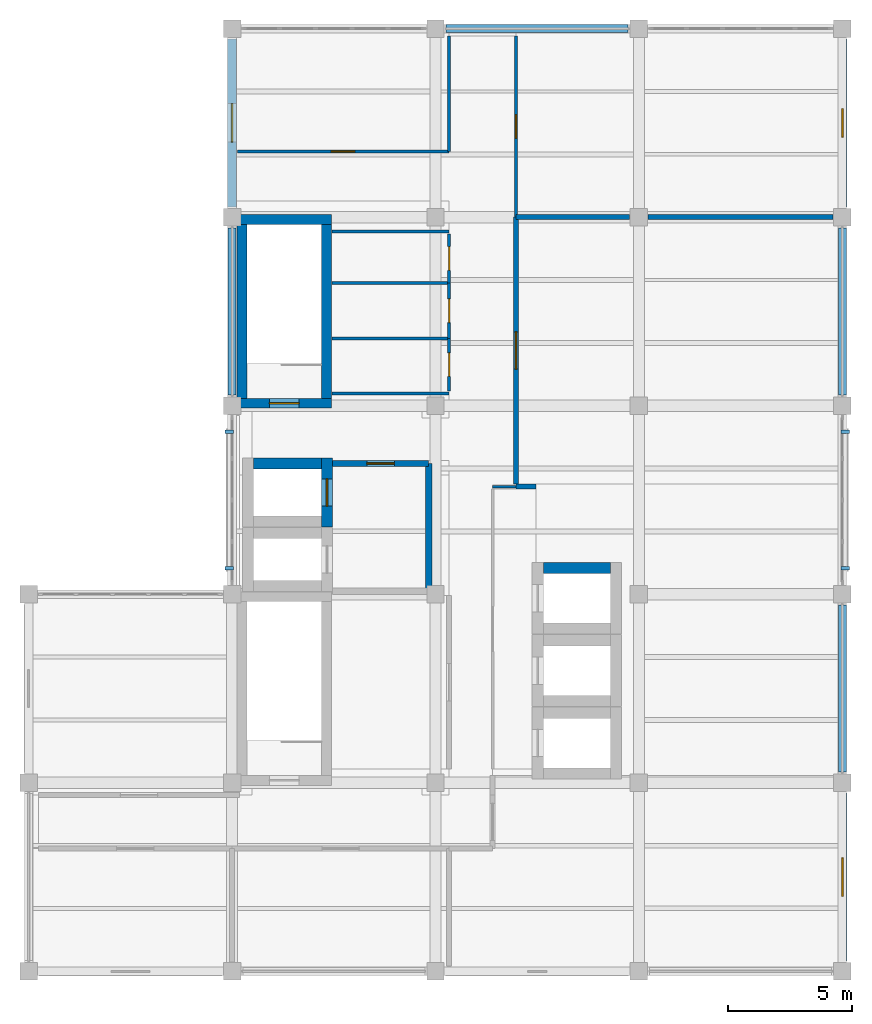
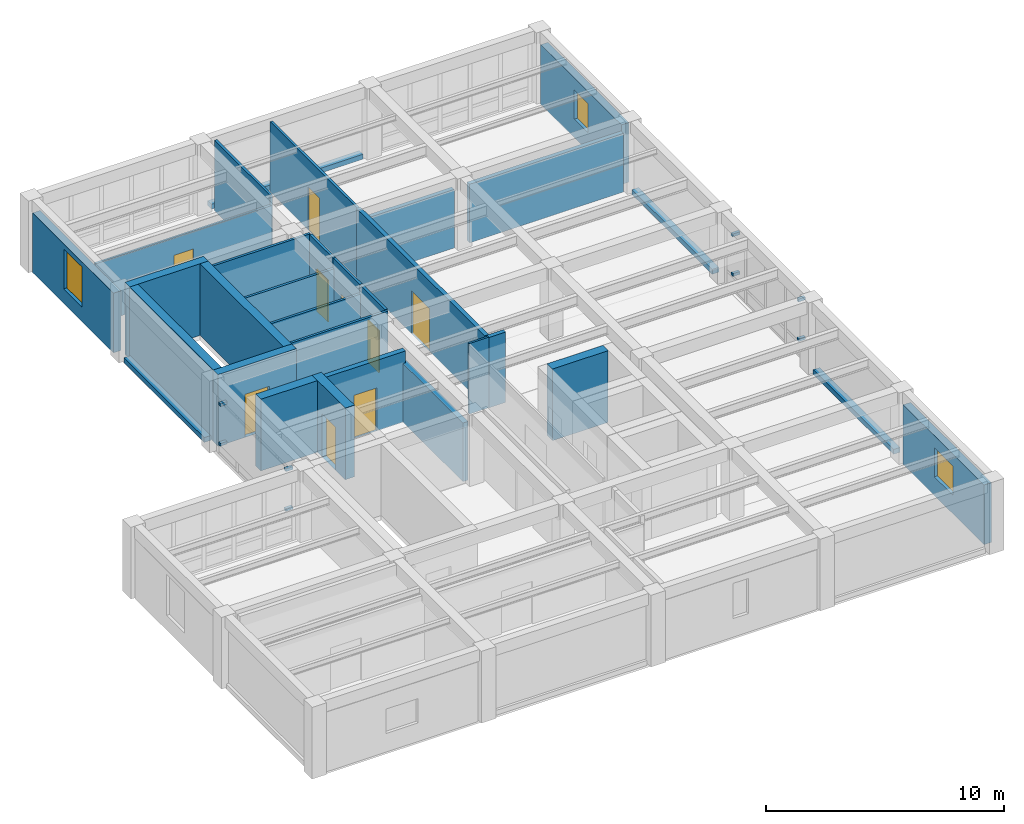
# One storey, part 7 of 8: 31 walls, 9 doors, 8 discrete accessories, 3 windows, 12 openings.
"""IFC4 building model written with IfcOpenShell, lengths in metres."""

from ifc_helpers import new_model, si_unit, direction, frame, frame_2d, origin, origin_2d, place, context, subcontext, project, spatial, rectangle, extrude, material, layer, layer_set, type_object, element, fill, save


model = new_model("IFC4")

# Units and contexts
model_context = context("Model", 3, precision=1e-05, world=origin(), true_north=direction((0.0, 1.0)))
body_context = subcontext(model_context, "Body", "Model", "MODEL_VIEW")
ifc_project = project(units=[si_unit("LENGTHUNIT", "METRE"), si_unit("AREAUNIT", "SQUARE_METRE"), si_unit("VOLUMEUNIT", "CUBIC_METRE"), si_unit("PLANEANGLEUNIT", "RADIAN"), si_unit("MASSUNIT", "GRAM", prefix="KILO")], contexts=[model_context])

# Site, building, storey
site_placement = place(None, origin())
site = spatial("IfcSite", under=ifc_project, at=site_placement, CompositionType="ELEMENT")
building_placement = place(site_placement, origin())
building = spatial("IfcBuilding", under=site, at=building_placement, Name="Qandaris Square Conservatory and Botanical Centre", CompositionType="ELEMENT")
storey_placement = place(building_placement, frame((0.0, 0.0, 70.199951171875)))
storey = spatial("IfcBuildingStorey", under=building, at=storey_placement, Name="L16", CompositionType="ELEMENT", Elevation=70.199951171875)

# Wall, opening, window
ifc_material_1 = material(Name="Precast concrete C40/50", Category="concrete")
ifc_layer_1 = layer(ifc_material_1, 0.360107421875)
ifc_layer_set_1 = layer_set([ifc_layer_1], Name="Precast concrete C40/50")
wall_type_1 = type_object("IfcWallType", Name="Architectural Precast Cladding Wall 360mm", PredefinedType="SOLIDWALL", material=ifc_layer_set_1)
wall_1_placement = place(storey_placement, frame((163.800048828125, 17.010009765625, 0.0), z_axis=(0.0, 0.0, 1.0), x_axis=(0.0, 1.0, 0.0)))
wall_1 = element("IfcWall", 1, at=wall_1_placement, inside=storey, type_object=wall_type_1, Name="Exterior Wall EW-TWR-L16-2-1", PredefinedType="SOLIDWALL", context=body_context, shape_type="SweptSolid", body=[
    extrude(rectangle(XDim=6.780029296875, YDim=0.360107421875, at=frame_2d((3.39013671875, 0.0))), origin(), (0.0, 0.0, 1.0), 3.054931640625),
])
opening_1_placement = place(wall_1_placement, frame((2.614990234375, 0.0, 0.949951171875)))
opening_1 = element("IfcOpeningElement", 2, at=opening_1_placement, cuts=wall_1, Name="Opening WN-26", PredefinedType="OPENING", context=body_context, shape_type="SweptSolid", body=[
    extrude(rectangle(XDim=1.550048828125, YDim=1.5, at=frame_2d((0.77490234375, 0.75))), frame((0.0, 0.19189453125, 0.0), z_axis=(0.0, -1.0, 0.0), x_axis=(1.0, 0.0, 0.0)), (0.0, 0.0, 1.0), 0.384033203125),
])
ifc_material_2 = material(Name="Tempered Low-E Glass", Category="glass")
window_type_1 = type_object("IfcWindowType", Name="Solar Control Window 1550x1500", PartitioningType="DOUBLE_PANEL_VERTICAL", PredefinedType="WINDOW", material=ifc_material_2)
window_1_placement = place(opening_1_placement, origin())
window_1 = element("IfcWindow", 3, at=window_1_placement, inside=storey, type_object=window_type_1, Name="Window EW-TWR-L16-2-1", OverallHeight=1.5, OverallWidth=1.550048828125, PartitioningType="DOUBLE_PANEL_VERTICAL", PredefinedType="WINDOW", context=body_context, shape_type="SweptSolid", body=[
    extrude(rectangle(XDim=1.550048828125, YDim=1.5, at=frame_2d((0.77490234375, 0.75))), frame((0.0, 0.030029296875, 0.0), z_axis=(0.0, -1.0, 0.0), x_axis=(1.0, 0.0, 0.0)), (0.0, 0.0, 1.0), 0.06005859375),
])
fill(opening_1, window_1)

wall_2_placement = place(storey_placement, frame((163.800048828125, 47.409912109375, 0.0), z_axis=(0.0, 0.0, 1.0), x_axis=(0.0, 1.0, 0.0)))
wall_2 = element("IfcWall", 4, at=wall_2_placement, inside=storey, type_object=wall_type_1, Name="Exterior Wall EW-TWR-L16-2-5", PredefinedType="SOLIDWALL", context=body_context, shape_type="SweptSolid", body=[
    extrude(rectangle(XDim=6.780029296875, YDim=0.360107421875, at=frame_2d((3.39013671875, 0.0))), origin(), (0.0, 0.0, 1.0), 3.054931640625),
])
opening_2_placement = place(wall_2_placement, frame((2.81494140625, 0.0, 0.949951171875)))
opening_2 = element("IfcOpeningElement", 5, at=opening_2_placement, cuts=wall_2, Name="Opening WN-18", PredefinedType="OPENING", context=body_context, shape_type="SweptSolid", body=[
    extrude(rectangle(XDim=1.14990234375, YDim=1.5, at=frame_2d((0.574951171875, 0.75))), frame((0.0, 0.19189453125, 0.0), z_axis=(0.0, -1.0, 0.0), x_axis=(1.0, 0.0, 0.0)), (0.0, 0.0, 1.0), 0.384033203125),
])
window_type_2 = type_object("IfcWindowType", Name="Solar Control Window 1150x1500", PartitioningType="SINGLE_PANEL", PredefinedType="WINDOW", material=ifc_material_2)
window_2_placement = place(opening_2_placement, origin())
window_2 = element("IfcWindow", 6, at=window_2_placement, inside=storey, type_object=window_type_2, Name="Window EW-TWR-L16-2-5", OverallHeight=1.5, OverallWidth=1.14990234375, PartitioningType="SINGLE_PANEL", PredefinedType="WINDOW", context=body_context, shape_type="SweptSolid", body=[
    extrude(rectangle(XDim=1.14990234375, YDim=1.5, at=frame_2d((0.574951171875, 0.75))), frame((0.0, 0.030029296875, 0.0), z_axis=(0.0, -1.0, 0.0), x_axis=(1.0, 0.0, 0.0)), (0.0, 0.0, 1.0), 0.06005859375),
])
fill(opening_2, window_2)

wall_3_placement = place(storey_placement, frame((139.199951171875, 54.18994140625, 0.0), z_axis=(0.0, 0.0, 1.0), x_axis=(0.0, -1.0, 0.0)))
wall_3 = element("IfcWall", 7, at=wall_3_placement, inside=storey, type_object=wall_type_1, Name="Exterior Wall EW-TWR-L16-4-1", PredefinedType="SOLIDWALL", context=body_context, shape_type="SweptSolid", body=[
    extrude(rectangle(XDim=6.780029296875, YDim=0.360107421875, at=frame_2d((3.39013671875, 0.0))), origin(), (0.0, 0.0, 1.0), 3.054931640625),
])
opening_3_placement = place(wall_3_placement, frame((2.614990234375, 0.0, 0.75)))
opening_3 = element("IfcOpeningElement", 8, at=opening_3_placement, cuts=wall_3, Name="Opening WN-28", PredefinedType="OPENING", context=body_context, shape_type="SweptSolid", body=[
    extrude(rectangle(XDim=1.550048828125, YDim=2.050048828125, at=frame_2d((0.77490234375, 1.02490234375))), frame((0.0, 0.19189453125, 0.0), z_axis=(0.0, -1.0, 0.0), x_axis=(1.0, 0.0, 0.0)), (0.0, 0.0, 1.0), 0.384033203125),
])
window_type_3 = type_object("IfcWindowType", Name="Solar Control Window 1550x2050", PartitioningType="DOUBLE_PANEL_VERTICAL", PredefinedType="WINDOW", material=ifc_material_2)
window_3_placement = place(opening_3_placement, origin())
window_3 = element("IfcWindow", 9, at=window_3_placement, inside=storey, type_object=window_type_3, Name="Window EW-TWR-L16-4-1", OverallHeight=2.050048828125, OverallWidth=1.550048828125, PartitioningType="DOUBLE_PANEL_VERTICAL", PredefinedType="WINDOW", context=body_context, shape_type="SweptSolid", body=[
    extrude(rectangle(XDim=1.550048828125, YDim=2.050048828125, at=frame_2d((0.77490234375, 1.02490234375))), frame((0.0, 0.030029296875, 0.0), z_axis=(0.0, -1.0, 0.0), x_axis=(1.0, 0.0, 0.0)), (0.0, 0.0, 1.0), 0.06005859375),
])
fill(opening_3, window_3)

# Wall, opening, door
ifc_material_3 = material(Name="Concrete C40/50", Category="concrete")
ifc_layer_2 = layer(ifc_material_3, 0.25)
ifc_layer_set_2 = layer_set([ifc_layer_2], Name="Concrete C40/50")
wall_type_2 = type_object("IfcWallType", Name="Firefighting Lobby Compartment Wall 250mm", PredefinedType="SOLIDWALL", material=ifc_layer_set_2)
wall_4_placement = place(storey_placement, frame((143.25, 37.074951171875, 0.0), z_axis=(0.0, 0.0, 1.0), x_axis=(1.0, 0.0, 0.0)))
wall_4 = element("IfcWall", 10, at=wall_4_placement, inside=storey, type_object=wall_type_2, Name="Firefighting Lobby Wall North (L16)", PredefinedType="SOLIDWALL", context=body_context, shape_type="SweptSolid", body=[
    extrude(rectangle(XDim=3.875, YDim=0.25, at=frame_2d((1.9375, 0.0))), origin(), (0.0, 0.0, 1.0), 3.60498046875),
])
opening_4_placement = place(wall_4_placement, frame((1.387451171875, 0.0, 0.0)))
opening_4 = element("IfcOpeningElement", 11, at=opening_4_placement, cuts=wall_4, Name="Opening D-FFL", PredefinedType="OPENING", context=body_context, shape_type="SweptSolid", body=[
    extrude(rectangle(XDim=1.10009765625, YDim=2.199951171875, at=frame_2d((0.550048828125, 1.10009765625))), frame((0.0, 0.136962890625, 0.0), z_axis=(0.0, -1.0, 0.0), x_axis=(1.0, 0.0, 0.0)), (0.0, 0.0, 1.0), 0.27392578125),
])
ifc_material_4 = material(Name="Steel S355", Category="steel")
door_type_1 = type_object("IfcDoorType", Name="Firefighting Lobby Smoke-Seal Door 1100x2200", OperationType="NOTDEFINED", PredefinedType="DOOR", material=ifc_material_4)
door_1_placement = place(opening_4_placement, origin())
door_1 = element("IfcDoor", 12, at=door_1_placement, inside=storey, type_object=door_type_1, Name="DR-0448 Firefighting Lobby Door (L16)", OperationType="SINGLE_SWING_LEFT", OverallHeight=2.199951171875, OverallWidth=1.10009765625, PredefinedType="DOOR", context=body_context, shape_type="SweptSolid", body=[
    extrude(rectangle(XDim=1.10009765625, YDim=2.199951171875, at=frame_2d((0.550048828125, 1.10009765625))), frame((0.0, 0.02490234375, 0.0), z_axis=(0.0, -1.0, 0.0), x_axis=(1.0, 0.0, 0.0)), (0.0, 0.0, 1.0), 0.050048828125),
])
fill(opening_4, door_1)

# Walls
wall_5_placement = place(storey_placement, frame((147.125, 31.925048828125, 0.0), z_axis=(0.0, 0.0, 1.0), x_axis=(0.0, 1.0, 0.0)))
element("IfcWall", 13, at=wall_5_placement, inside=storey, type_object=wall_type_2, Name="Firefighting Lobby Wall East (L16)", PredefinedType="SOLIDWALL", context=body_context, shape_type="SweptSolid", body=[
    extrude(rectangle(XDim=5.14990234375, YDim=0.25, at=frame_2d((2.574951171875, 0.0))), origin(), (0.0, 0.0, 1.0), 3.005126953125),
])
ifc_layer_3 = layer(ifc_material_2, 0.10009765625)
ifc_layer_set_3 = layer_set([ifc_layer_3], Name="Tempered Low-E Glass")
wall_type_3 = type_object("IfcWallType", Name="Framed Acoustic Glazed Gallery Screen 100mm", PredefinedType="PARTITIONING", material=ifc_layer_set_3)
wall_6_placement = place(storey_placement, frame((149.699951171875, 36.125, 0.0), z_axis=(0.0, 0.0, 1.0), x_axis=(1.0, 0.0, 0.0)))
element("IfcWall", 14, at=wall_6_placement, inside=storey, type_object=wall_type_3, Name="Interior Partition IW-L16-0489", PredefinedType="PARTITIONING", context=body_context, shape_type="SweptSolid", body=[
    extrude(rectangle(XDim=0.949951171875, YDim=0.10009765625, at=frame_2d((0.47509765625, 0.0))), origin(), (0.0, 0.0, 1.0), 3.60498046875),
])
ifc_layer_4 = layer(ifc_material_3, 0.199951171875)
ifc_layer_set_4 = layer_set([ifc_layer_4], Name="Concrete C40/50")
wall_type_4 = type_object("IfcWallType", Name="Herbarium & Plant Compartment Wall 200mm", PredefinedType="PARTITIONING", material=ifc_layer_set_4)
wall_7_placement = place(storey_placement, frame((150.64990234375, 36.14990234375, 0.0), z_axis=(0.0, 0.0, 1.0), x_axis=(1.0, 0.0, 0.0)))
element("IfcWall", 15, at=wall_7_placement, inside=storey, type_object=wall_type_4, Name="Interior Partition IW-L16-0490", PredefinedType="PARTITIONING", context=body_context, shape_type="SweptSolid", body=[
    extrude(rectangle(XDim=0.800048828125, YDim=0.199951171875, at=frame_2d((0.39990234375, 0.0))), origin(), (0.0, 0.0, 1.0), 3.60498046875),
])

# Wall, opening, door
wall_8_placement = place(storey_placement, frame((150.64990234375, 47.0, 0.0), z_axis=(0.0, 0.0, 1.0), x_axis=(0.0, -1.0, 0.0)))
wall_8 = element("IfcWall", 16, at=wall_8_placement, inside=storey, type_object=wall_type_4, Name="Interior Partition IW-L16-0502", PredefinedType="PARTITIONING", context=body_context, shape_type="SweptSolid", body=[
    extrude(rectangle(XDim=10.75, YDim=0.199951171875, at=frame_2d((5.375, 0.0))), origin(), (0.0, 0.0, 1.0), 3.60498046875),
])
opening_5_placement = place(wall_8_placement, frame((4.625, 0.0, 0.0)))
opening_5 = element("IfcOpeningElement", 17, at=opening_5_placement, cuts=wall_8, Name="Opening D-PLT1", PredefinedType="OPENING", context=body_context, shape_type="SweptSolid", body=[
    extrude(rectangle(XDim=1.5, YDim=2.199951171875, at=frame_2d((0.75, 1.10009765625))), frame((0.0, 0.11181640625, 0.0), z_axis=(0.0, -1.0, 0.0), x_axis=(1.0, 0.0, 0.0)), (0.0, 0.0, 1.0), 0.223876953125),
])
door_type_2 = type_object("IfcDoorType", Name="Plant & Riser Double Fire Door 1500x2200", OperationType="DOUBLE_DOOR_SINGLE_SWING", PredefinedType="DOOR", material=ifc_material_4)
door_2_placement = place(opening_5_placement, origin())
door_2 = element("IfcDoor", 18, at=door_2_placement, inside=storey, type_object=door_type_2, Name="DR-0457 Mechanical AHU Plant Analytical Laboratory Door", OperationType="DOUBLE_DOOR_SINGLE_SWING", OverallHeight=2.199951171875, OverallWidth=1.5, PredefinedType="DOOR", context=body_context, shape_type="SweptSolid", body=[
    extrude(rectangle(XDim=1.5, YDim=2.199951171875, at=frame_2d((0.75, 1.10009765625))), frame((0.0, 0.02490234375, 0.0), z_axis=(0.0, -1.0, 0.0), x_axis=(1.0, 0.0, 0.0)), (0.0, 0.0, 1.0), 0.050048828125),
])
fill(opening_5, door_2)

# Walls
wall_9_placement = place(storey_placement, frame((150.64990234375, 47.0, 0.0), z_axis=(0.0, 0.0, 1.0), x_axis=(1.0, 0.0, 0.0)))
element("IfcWall", 19, at=wall_9_placement, inside=storey, type_object=wall_type_4, Name="Interior Partition IW-L16-0508", PredefinedType="PARTITIONING", context=body_context, shape_type="SweptSolid", body=[
    extrude(rectangle(XDim=4.580078125, YDim=0.199951171875, at=frame_2d((2.2900390625, 0.0))), origin(), (0.0, 0.0, 1.0), 3.005126953125),
])
wall_10_placement = place(storey_placement, frame((155.969970703125, 47.0, 0.0), z_axis=(0.0, 0.0, 1.0), x_axis=(1.0, 0.0, 0.0)))
element("IfcWall", 20, at=wall_10_placement, inside=storey, type_object=wall_type_4, Name="Interior Partition IW-L16-0509", PredefinedType="PARTITIONING", context=body_context, shape_type="SweptSolid", body=[
    extrude(rectangle(XDim=7.4599609375, YDim=0.199951171875, at=frame_2d((3.72998046875, 0.0))), origin(), (0.0, 0.0, 1.0), 3.005126953125),
])
ifc_material_5 = material(Name="Concrete C50/60", Category="concrete")
ifc_layer_5 = layer(ifc_material_5, 0.449951171875)
ifc_layer_set_5 = layer_set([ifc_layer_5], Name="Concrete C50/60")
wall_type_5 = type_object("IfcWallType", Name="RC Coupled Core Shear Wall 450mm", PredefinedType="SHEAR", material=ifc_layer_set_5)
wall_11_placement = place(storey_placement, frame((140.06005859375, 37.06494140625, 0.0), z_axis=(0.0, 0.0, 1.0), x_axis=(1.0, 0.0, 0.0)))
element("IfcWall", 21, at=wall_11_placement, inside=storey, type_object=wall_type_5, Name="Lift FFL2 Shaft Wall North (L16)", PredefinedType="SHEAR", context=body_context, shape_type="SweptSolid", body=[
    extrude(rectangle(XDim=2.739990234375, YDim=0.449951171875, at=frame_2d((1.3701171875, 0.0))), origin(), (0.0, 0.0, 1.0), 3.670166015625),
])

# Wall, opening, door
wall_12_placement = place(storey_placement, frame((143.02490234375, 34.510009765625, 0.0), z_axis=(0.0, 0.0, 1.0), x_axis=(0.0, 1.0, 0.0)))
wall_12 = element("IfcWall", 22, at=wall_12_placement, inside=storey, type_object=wall_type_5, Name="Lift FFL2 Shaft Wall East (L16)", PredefinedType="SHEAR", context=body_context, shape_type="SweptSolid", body=[
    extrude(rectangle(XDim=2.780029296875, YDim=0.449951171875, at=frame_2d((1.39013671875, 0.0))), origin(), (0.0, 0.0, 1.0), 3.670166015625),
])
opening_6_placement = place(wall_12_placement, frame((0.840087890625, 0.0, 0.0)))
opening_6 = element("IfcOpeningElement", 23, at=opening_6_placement, cuts=wall_12, Name="Opening LD-FFL", PredefinedType="OPENING", context=body_context, shape_type="SweptSolid", body=[
    extrude(rectangle(XDim=1.10009765625, YDim=2.199951171875, at=frame_2d((0.550048828125, 1.10009765625))), frame((0.0, 0.23681640625, 0.0), z_axis=(0.0, -1.0, 0.0), x_axis=(1.0, 0.0, 0.0)), (0.0, 0.0, 1.0), 0.473876953125),
])
door_type_3 = type_object("IfcDoorType", Name="Firefighting Lift Sliding Landing Door 1100x2200", OperationType="DOUBLE_DOOR_SLIDING", PredefinedType="DOOR", material=ifc_material_4)
door_3_placement = place(opening_6_placement, origin())
door_3 = element("IfcDoor", 24, at=door_3_placement, inside=storey, type_object=door_type_3, Name="DR-0464 Lift FFL2 Landing Door (L16)", OperationType="DOUBLE_DOOR_SLIDING", OverallHeight=2.199951171875, OverallWidth=1.10009765625, PredefinedType="DOOR", context=body_context, shape_type="SweptSolid", body=[
    extrude(rectangle(XDim=1.10009765625, YDim=2.199951171875, at=frame_2d((0.550048828125, 1.10009765625))), frame((0.0, 0.02490234375, 0.0), z_axis=(0.0, -1.0, 0.0), x_axis=(1.0, 0.0, 0.0)), (0.0, 0.0, 1.0), 0.050048828125),
])
fill(opening_6, door_3)

# Wall
wall_13_placement = place(storey_placement, frame((151.75, 32.864990234375, 0.0), z_axis=(0.0, 0.0, 1.0), x_axis=(1.0, 0.0, 0.0)))
element("IfcWall", 25, at=wall_13_placement, inside=storey, type_object=wall_type_5, Name="Lift PL3 Shaft Wall North (L16)", PredefinedType="SHEAR", context=body_context, shape_type="SweptSolid", body=[
    extrude(rectangle(XDim=2.699951171875, YDim=0.449951171875, at=frame_2d((1.35009765625, 0.0))), origin(), (0.0, 0.0, 1.0), 3.670166015625),
])

# Wall, opening, door
ifc_layer_6 = layer(ifc_material_5, 0.39990234375)
ifc_layer_set_6 = layer_set([ifc_layer_6], Name="Concrete C50/60")
wall_type_6 = type_object("IfcWallType", Name="RC Stair Core Shear Wall 400mm", PredefinedType="SHEAR", material=ifc_layer_set_6)
wall_14_placement = place(storey_placement, frame((139.39990234375, 39.5, 0.0), z_axis=(0.0, 0.0, 1.0), x_axis=(1.0, 0.0, 0.0)))
wall_14 = element("IfcWall", 26, at=wall_14_placement, inside=storey, type_object=wall_type_6, Name="ST-2 Core Shear Wall South (L16)", PredefinedType="SHEAR", context=body_context, shape_type="SweptSolid", body=[
    extrude(rectangle(XDim=3.800048828125, YDim=0.39990234375, at=frame_2d((1.89990234375, 0.0))), origin(), (0.0, 0.0, 1.0), 3.670166015625),
])
opening_7_placement = place(wall_14_placement, frame((1.300048828125, 0.0, 0.0)))
opening_7 = element("IfcOpeningElement", 27, at=opening_7_placement, cuts=wall_14, Name="Opening D-ST1", PredefinedType="OPENING", context=body_context, shape_type="SweptSolid", body=[
    extrude(rectangle(XDim=1.199951171875, YDim=2.199951171875, at=frame_2d((0.60009765625, 1.10009765625))), frame((0.0, 0.2119140625, 0.0), z_axis=(0.0, -1.0, 0.0), x_axis=(1.0, 0.0, 0.0)), (0.0, 0.0, 1.0), 0.423828125),
])
door_type_4 = type_object("IfcDoorType", Name="Exit Stair Core Fire Door 1200x2200", OperationType="NOTDEFINED", PredefinedType="DOOR", material=ifc_material_4)
door_4_placement = place(opening_7_placement, origin())
door_4 = element("IfcDoor", 28, at=door_4_placement, inside=storey, type_object=door_type_4, Name="DR-0459 ST-2 Stair Core Door (L16)", OperationType="SINGLE_SWING_RIGHT", OverallHeight=2.199951171875, OverallWidth=1.199951171875, PredefinedType="DOOR", context=body_context, shape_type="SweptSolid", body=[
    extrude(rectangle(XDim=1.199951171875, YDim=2.199951171875, at=frame_2d((0.60009765625, 1.10009765625))), frame((0.0, 0.02490234375, 0.0), z_axis=(0.0, -1.0, 0.0), x_axis=(1.0, 0.0, 0.0)), (0.0, 0.0, 1.0), 0.050048828125),
])
fill(opening_7, door_4)

# Walls
wall_15_placement = place(storey_placement, frame((139.39990234375, 46.89990234375, 0.0), z_axis=(0.0, 0.0, 1.0), x_axis=(1.0, 0.0, 0.0)))
element("IfcWall", 29, at=wall_15_placement, inside=storey, type_object=wall_type_6, Name="ST-2 Core Shear Wall North (L16)", PredefinedType="SHEAR", context=body_context, shape_type="SweptSolid", body=[
    extrude(rectangle(XDim=3.800048828125, YDim=0.39990234375, at=frame_2d((1.89990234375, 0.0))), origin(), (0.0, 0.0, 1.0), 3.670166015625),
])
for number, where, z_axis, x_axis, name in (
    (30, (139.60009765625, 39.699951171875, 0.0), (0.0, 0.0, 1.0), (0.0, 1.0, 0.0), "ST-2 Core Shear Wall West (L16)"),
    (31, (143.0, 39.699951171875, 0.0), (0.0, 0.0, 1.0), (0.0, 1.0, 0.0), "ST-2 Core Shear Wall East (L16)"),
):
    element("IfcWall", number, at=place(storey_placement, frame(where, z_axis=z_axis, x_axis=x_axis)), inside=storey, type_object=wall_type_6, Name=name, PredefinedType="SHEAR", context=body_context, shape_type="SweptSolid", body=[
        extrude(rectangle(XDim=7.0, YDim=0.39990234375, at=frame_2d((3.5, 0.0))), origin(), (0.0, 0.0, 1.0), 3.670166015625),
    ])
ifc_layer_7 = layer(ifc_material_1, 0.320068359375)
ifc_layer_set_7 = layer_set([ifc_layer_7], Name="Precast concrete C40/50")
wall_type_7 = type_object("IfcWallType", Name="Spandrel Backpan Insulated Wall 320mm", PredefinedType="PARAPET", material=ifc_layer_set_7)
wall_16_placement = place(storey_placement, frame((163.800048828125, 24.6298828125, 0.0), z_axis=(0.0, 0.0, 1.0), x_axis=(0.0, 1.0, 0.0)))
element("IfcWall", 32, at=wall_16_placement, inside=storey, type_object=wall_type_7, Name="Plant Sill Upstand 2.2", PredefinedType="PARAPET", context=body_context, shape_type="SweptSolid", body=[
    extrude(rectangle(XDim=6.740234375, YDim=0.320068359375, at=frame_2d((3.3701171875, 0.0))), origin(), (0.0, 0.0, 1.0), 0.25),
])
wall_17_placement = place(storey_placement, frame((163.800048828125, 39.830078125, 0.0), z_axis=(0.0, 0.0, 1.0), x_axis=(0.0, 1.0, 0.0)))
element("IfcWall", 33, at=wall_17_placement, inside=storey, type_object=wall_type_7, Name="Plant Sill Upstand 2.4", PredefinedType="PARAPET", context=body_context, shape_type="SweptSolid", body=[
    extrude(rectangle(XDim=6.739990234375, YDim=0.320068359375, at=frame_2d((3.3701171875, 0.0))), origin(), (0.0, 0.0, 1.0), 0.25),
])
wall_18_placement = place(storey_placement, frame((155.169921875, 54.60009765625, 0.0), z_axis=(0.0, 0.0, 1.0), x_axis=(-1.0, 0.0, 0.0)))
element("IfcWall", 34, at=wall_18_placement, inside=storey, type_object=wall_type_7, Name="Plant Sill Upstand 3.2", PredefinedType="PARAPET", context=body_context, shape_type="SweptSolid", body=[
    extrude(rectangle(XDim=7.33984375, YDim=0.320068359375, at=frame_2d((3.669921875, 0.0))), origin(), (0.0, 0.0, 1.0), 0.25),
])
wall_19_placement = place(storey_placement, frame((139.199951171875, 46.570068359375, 0.0), z_axis=(0.0, 0.0, 1.0), x_axis=(0.0, -1.0, 0.0)))
element("IfcWall", 35, at=wall_19_placement, inside=storey, type_object=wall_type_7, Name="Plant Sill Upstand 4.2", PredefinedType="PARAPET", context=body_context, shape_type="SweptSolid", body=[
    extrude(rectangle(XDim=6.739990234375, YDim=0.320068359375, at=frame_2d((3.3701171875, 0.0))), origin(), (0.0, 0.0, 1.0), 0.25),
])
ifc_material_6 = material(Name="Gypsum Plasterboard", Category="gypsum")
ifc_layer_8 = layer(ifc_material_6, 0.1201171875)
ifc_layer_set_8 = layer_set([ifc_layer_8], Name="Gypsum Plasterboard")
wall_type_8 = type_object("IfcWallType", Name="Standard Research Partition 120mm", PredefinedType="PARTITIONING", material=ifc_layer_set_8)
for number, where, z_axis, x_axis, name in (
    (36, (143.22998046875, 39.89990234375, 0.0), (0.0, 0.0, 1.0), (1.0, 0.0, 0.0), "Sanitary Toilet Partition Wall WCW-L16-SOUTH1"),
    (37, (143.22998046875, 46.419921875, 0.0), (0.0, 0.0, 1.0), (1.0, 0.0, 0.0), "Sanitary Toilet Partition Wall WCW-L16-NORTH1"),
):
    element("IfcWall", number, at=place(storey_placement, frame(where, z_axis=z_axis, x_axis=x_axis)), inside=storey, type_object=wall_type_8, Name=name, PredefinedType="PARTITIONING", context=body_context, shape_type="SweptSolid", body=[
        extrude(rectangle(XDim=4.719970703125, YDim=0.1201171875, at=frame_2d((2.35986328125, 0.0))), origin(), (0.0, 0.0, 1.0), 3.60498046875),
    ])
wall_20_placement = place(storey_placement, frame((143.22998046875, 42.1201171875, 0.0), z_axis=(0.0, 0.0, 1.0), x_axis=(1.0, 0.0, 0.0)))
element("IfcWall", 38, at=wall_20_placement, inside=storey, type_object=wall_type_8, Name="Interior Partition IW-L16-0491", PredefinedType="PARTITIONING", context=body_context, shape_type="SweptSolid", body=[
    extrude(rectangle(XDim=4.719970703125, YDim=0.1201171875, at=frame_2d((2.35986328125, 0.0))), origin(), (0.0, 0.0, 1.0), 3.14501953125),
])

# Wall, opening, door
wall_21_placement = place(storey_placement, frame((147.949951171875, 42.1201171875, 0.0), z_axis=(0.0, 0.0, 1.0), x_axis=(0.0, -1.0, 0.0)))
wall_21 = element("IfcWall", 39, at=wall_21_placement, inside=storey, type_object=wall_type_8, Name="Interior Partition IW-L16-0492", PredefinedType="PARTITIONING", context=body_context, shape_type="SweptSolid", body=[
    extrude(rectangle(XDim=2.130126953125, YDim=0.1201171875, at=frame_2d((1.06494140625, 0.0))), origin(), (0.0, 0.0, 1.0), 3.60498046875),
])
opening_8_placement = place(wall_21_placement, frame((0.590087890625, 0.0, 0.0)))
opening_8 = element("IfcOpeningElement", 40, at=opening_8_placement, cuts=wall_21, Name="Opening D-WC1", PredefinedType="OPENING", context=body_context, shape_type="SweptSolid", body=[
    extrude(rectangle(XDim=0.949951171875, YDim=2.14990234375, at=frame_2d((0.47509765625, 1.074951171875))), frame((0.0, 0.072021484375, 0.0), z_axis=(0.0, -1.0, 0.0), x_axis=(1.0, 0.0, 0.0)), (0.0, 0.0, 1.0), 0.14404296875),
])
ifc_material_7 = material(Name="Engineered Oak Timber", Category="wood")
door_type_5 = type_object("IfcDoorType", Name="Accessible Sanitary Room Door 950x2150", OperationType="NOTDEFINED", PredefinedType="DOOR", material=ifc_material_7)
door_5_placement = place(opening_8_placement, origin())
door_5 = element("IfcDoor", 41, at=door_5_placement, inside=storey, type_object=door_type_5, Name="DR-0460 Accessible Toilet L16 Door", OperationType="SINGLE_SWING_LEFT", OverallHeight=2.14990234375, OverallWidth=0.949951171875, PredefinedType="DOOR", context=body_context, shape_type="SweptSolid", body=[
    extrude(rectangle(XDim=0.949951171875, YDim=2.14990234375, at=frame_2d((0.47509765625, 1.074951171875))), frame((0.0, 0.02490234375, 0.0), z_axis=(0.0, -1.0, 0.0), x_axis=(1.0, 0.0, 0.0)), (0.0, 0.0, 1.0), 0.050048828125),
])
fill(opening_8, door_5)

# Wall
wall_22_placement = place(storey_placement, frame((143.22998046875, 44.340087890625, 0.0), z_axis=(0.0, 0.0, 1.0), x_axis=(1.0, 0.0, 0.0)))
element("IfcWall", 42, at=wall_22_placement, inside=storey, type_object=wall_type_8, Name="Interior Partition IW-L16-0493", PredefinedType="PARTITIONING", context=body_context, shape_type="SweptSolid", body=[
    extrude(rectangle(XDim=4.719970703125, YDim=0.1201171875, at=frame_2d((2.35986328125, 0.0))), origin(), (0.0, 0.0, 1.0), 3.094970703125),
])

# Wall, opening, door
wall_23_placement = place(storey_placement, frame((147.949951171875, 44.340087890625, 0.0), z_axis=(0.0, 0.0, 1.0), x_axis=(0.0, -1.0, 0.0)))
wall_23 = element("IfcWall", 43, at=wall_23_placement, inside=storey, type_object=wall_type_8, Name="Interior Partition IW-L16-0494", PredefinedType="PARTITIONING", context=body_context, shape_type="SweptSolid", body=[
    extrude(rectangle(XDim=2.219970703125, YDim=0.1201171875, at=frame_2d((1.10986328125, 0.0))), origin(), (0.0, 0.0, 1.0), 3.60498046875),
])
opening_9_placement = place(wall_23_placement, frame((0.635009765625, 0.0, 0.0)))
opening_9 = element("IfcOpeningElement", 44, at=opening_9_placement, cuts=wall_23, Name="Opening D-WC1", PredefinedType="OPENING", context=body_context, shape_type="SweptSolid", body=[
    extrude(rectangle(XDim=0.949951171875, YDim=2.14990234375, at=frame_2d((0.47509765625, 1.074951171875))), frame((0.0, 0.072021484375, 0.0), z_axis=(0.0, -1.0, 0.0), x_axis=(1.0, 0.0, 0.0)), (0.0, 0.0, 1.0), 0.14404296875),
])
door_6_placement = place(opening_9_placement, origin())
door_6 = element("IfcDoor", 45, at=door_6_placement, inside=storey, type_object=door_type_5, Name="DR-0461 Staff Male Toilet L16 Door", OperationType="SINGLE_SWING_RIGHT", OverallHeight=2.14990234375, OverallWidth=0.949951171875, PredefinedType="DOOR", context=body_context, shape_type="SweptSolid", body=[
    extrude(rectangle(XDim=0.949951171875, YDim=2.14990234375, at=frame_2d((0.47509765625, 1.074951171875))), frame((0.0, 0.02490234375, 0.0), z_axis=(0.0, -1.0, 0.0), x_axis=(1.0, 0.0, 0.0)), (0.0, 0.0, 1.0), 0.050048828125),
])
fill(opening_9, door_6)

wall_24_placement = place(storey_placement, frame((147.949951171875, 46.330078125, 0.0), z_axis=(0.0, 0.0, 1.0), x_axis=(0.0, -1.0, 0.0)))
wall_24 = element("IfcWall", 46, at=wall_24_placement, inside=storey, type_object=wall_type_8, Name="Interior Partition IW-L16-0495", PredefinedType="PARTITIONING", context=body_context, shape_type="SweptSolid", body=[
    extrude(rectangle(XDim=1.989990234375, YDim=0.1201171875, at=frame_2d((0.9951171875, 0.0))), origin(), (0.0, 0.0, 1.0), 3.60498046875),
])
opening_10_placement = place(wall_24_placement, frame((0.52001953125, 0.0, 0.0)))
opening_10 = element("IfcOpeningElement", 47, at=opening_10_placement, cuts=wall_24, Name="Opening D-WC1", PredefinedType="OPENING", context=body_context, shape_type="SweptSolid", body=[
    extrude(rectangle(XDim=0.949951171875, YDim=2.14990234375, at=frame_2d((0.47509765625, 1.074951171875))), frame((0.0, 0.072021484375, 0.0), z_axis=(0.0, -1.0, 0.0), x_axis=(1.0, 0.0, 0.0)), (0.0, 0.0, 1.0), 0.14404296875),
])
door_7_placement = place(opening_10_placement, frame((0.949951171875, 0.0, 0.0), z_axis=(0.0, 0.0, 1.0), x_axis=(-1.0, 0.0, 0.0)))
door_7 = element("IfcDoor", 48, at=door_7_placement, inside=storey, type_object=door_type_5, Name="DR-0462 Staff Female Toilet L16 Door", OperationType="SINGLE_SWING_LEFT", OverallHeight=2.14990234375, OverallWidth=0.949951171875, PredefinedType="DOOR", context=body_context, shape_type="SweptSolid", body=[
    extrude(rectangle(XDim=0.949951171875, YDim=2.14990234375, at=frame_2d((0.47509765625, 1.074951171875))), frame((0.0, 0.02490234375, 0.0), z_axis=(0.0, -1.0, 0.0), x_axis=(1.0, 0.0, 0.0)), (0.0, 0.0, 1.0), 0.050048828125),
])
fill(opening_10, door_7)

wall_25_placement = place(storey_placement, frame((139.409912109375, 49.64990234375, 0.0), z_axis=(0.0, 0.0, 1.0), x_axis=(1.0, 0.0, 0.0)))
wall_25 = element("IfcWall", 49, at=wall_25_placement, inside=storey, type_object=wall_type_8, Name="Interior Partition IW-L16-0503", PredefinedType="PARTITIONING", context=body_context, shape_type="SweptSolid", body=[
    extrude(rectangle(XDim=8.5400390625, YDim=0.1201171875, at=frame_2d((4.27001953125, 0.0))), origin(), (0.0, 0.0, 1.0), 3.094970703125),
])
opening_11_placement = place(wall_25_placement, frame((3.794921875, 0.0, 0.0)))
opening_11 = element("IfcOpeningElement", 50, at=opening_11_placement, cuts=wall_25, Name="Opening D-OFF1", PredefinedType="OPENING", context=body_context, shape_type="SweptSolid", body=[
    extrude(rectangle(XDim=0.949951171875, YDim=2.199951171875, at=frame_2d((0.47509765625, 1.10009765625))), frame((0.0, 0.072021484375, 0.0), z_axis=(0.0, -1.0, 0.0), x_axis=(1.0, 0.0, 0.0)), (0.0, 0.0, 1.0), 0.14404296875),
])
door_type_6 = type_object("IfcDoorType", Name="Research Office Acoustic Door 950x2200", OperationType="NOTDEFINED", PredefinedType="DOOR", material=ifc_material_7)
door_8_placement = place(opening_11_placement, frame((0.949951171875, 0.0, 0.0), z_axis=(0.0, 0.0, 1.0), x_axis=(-1.0, 0.0, 0.0)))
door_8 = element("IfcDoor", 51, at=door_8_placement, inside=storey, type_object=door_type_6, Name="DR-0450 Building Management Collaborative Seminar Room Door", OperationType="SINGLE_SWING_RIGHT", OverallHeight=2.199951171875, OverallWidth=0.949951171875, PredefinedType="DOOR", context=body_context, shape_type="SweptSolid", body=[
    extrude(rectangle(XDim=0.949951171875, YDim=2.199951171875, at=frame_2d((0.47509765625, 1.10009765625))), frame((0.0, 0.02490234375, 0.0), z_axis=(0.0, -1.0, 0.0), x_axis=(1.0, 0.0, 0.0)), (0.0, 0.0, 1.0), 0.050048828125),
])
fill(opening_11, door_8)

# Wall
wall_26_placement = place(storey_placement, frame((147.949951171875, 49.64990234375, 0.0), z_axis=(0.0, 0.0, 1.0), x_axis=(0.0, 1.0, 0.0)))
element("IfcWall", 52, at=wall_26_placement, inside=storey, type_object=wall_type_8, Name="Interior Partition IW-L16-0504", PredefinedType="PARTITIONING", context=body_context, shape_type="SweptSolid", body=[
    extrude(rectangle(XDim=4.650146484375, YDim=0.1201171875, at=frame_2d((2.3251953125, 0.0))), origin(), (0.0, 0.0, 1.0), 3.60498046875),
])

# Wall, opening, door
wall_27_placement = place(storey_placement, frame((150.64990234375, 54.300048828125, 0.0), z_axis=(0.0, 0.0, 1.0), x_axis=(0.0, -1.0, 0.0)))
wall_27 = element("IfcWall", 53, at=wall_27_placement, inside=storey, type_object=wall_type_8, Name="Interior Partition IW-L16-0505", PredefinedType="PARTITIONING", context=body_context, shape_type="SweptSolid", body=[
    extrude(rectangle(XDim=7.300048828125, YDim=0.1201171875, at=frame_2d((3.64990234375, 0.0))), origin(), (0.0, 0.0, 1.0), 3.60498046875),
])
opening_12_placement = place(wall_27_placement, frame((3.175048828125, 0.0, 0.0)))
opening_12 = element("IfcOpeningElement", 54, at=opening_12_placement, cuts=wall_27, Name="Opening D-OFF1", PredefinedType="OPENING", context=body_context, shape_type="SweptSolid", body=[
    extrude(rectangle(XDim=0.949951171875, YDim=2.199951171875, at=frame_2d((0.47509765625, 1.10009765625))), frame((0.0, 0.072021484375, 0.0), z_axis=(0.0, -1.0, 0.0), x_axis=(1.0, 0.0, 0.0)), (0.0, 0.0, 1.0), 0.14404296875),
])
door_9_placement = place(opening_12_placement, origin())
door_9 = element("IfcDoor", 55, at=door_9_placement, inside=storey, type_object=door_type_6, Name="DR-0451 Floor L16 Staff Write-Up Lounge Door", OperationType="SINGLE_SWING_LEFT", OverallHeight=2.199951171875, OverallWidth=0.949951171875, PredefinedType="DOOR", context=body_context, shape_type="SweptSolid", body=[
    extrude(rectangle(XDim=0.949951171875, YDim=2.199951171875, at=frame_2d((0.47509765625, 1.10009765625))), frame((0.0, 0.02490234375, 0.0), z_axis=(0.0, -1.0, 0.0), x_axis=(1.0, 0.0, 0.0)), (0.0, 0.0, 1.0), 0.050048828125),
])
fill(opening_12, door_9)

# Discrete accessories
discrete_accessory_type = type_object("IfcDiscreteAccessoryType", Name="Mashrabiya Support Outrigger Bracket", PredefinedType="BRACKET", material=ifc_material_4)
for number, where, z_axis, x_axis, name in (
    (56, (163.909912109375, 32.85009765625, 0.787109375), (0.0, 0.0, 1.0), (0.0, 1.0, 0.0), "Mashrabiya Bracket CW-TWR-L16-2-3-BRK-6-711"),
    (57, (163.909912109375, 32.85009765625, 2.8203125), (0.0, 0.0, 1.0), (0.0, 1.0, 0.0), "Mashrabiya Bracket CW-TWR-L16-2-3-BRK-6-731"),
    (58, (163.909912109375, 38.35009765625, 0.787109375), (0.0, 0.0, 1.0), (0.0, 1.0, 0.0), "Mashrabiya Bracket CW-TWR-L16-2-3-BRK-61-711"),
    (59, (163.909912109375, 38.35009765625, 2.8203125), (0.0, 0.0, 1.0), (0.0, 1.0, 0.0), "Mashrabiya Bracket CW-TWR-L16-2-3-BRK-61-731"),
    (60, (139.090087890625, 38.35009765625, 0.787109375), (0.0, 0.0, 1.0), (0.0, -1.0, 0.0), "Mashrabiya Bracket CW-TWR-L16-4-3-BRK-6-711"),
    (61, (139.090087890625, 38.35009765625, 2.8203125), (0.0, 0.0, 1.0), (0.0, -1.0, 0.0), "Mashrabiya Bracket CW-TWR-L16-4-3-BRK-6-731"),
    (62, (139.090087890625, 32.85009765625, 0.787109375), (0.0, 0.0, 1.0), (0.0, -1.0, 0.0), "Mashrabiya Bracket CW-TWR-L16-4-3-BRK-61-711"),
    (63, (139.090087890625, 32.85009765625, 2.8203125), (0.0, 0.0, 1.0), (0.0, -1.0, 0.0), "Mashrabiya Bracket CW-TWR-L16-4-3-BRK-61-731"),
):
    element("IfcDiscreteAccessory", number, at=place(storey_placement, frame(where, z_axis=z_axis, x_axis=x_axis)), inside=storey, type_object=discrete_accessory_type, Name=name, PredefinedType="BRACKET", context=body_context, shape_type="SweptSolid", body=[
        extrude(rectangle(XDim=0.139892578125, YDim=0.340087890625, at=origin_2d()), origin(), (0.0, 0.0, 1.0), 0.139892578125),
    ])

save(model, "model.ifc")
